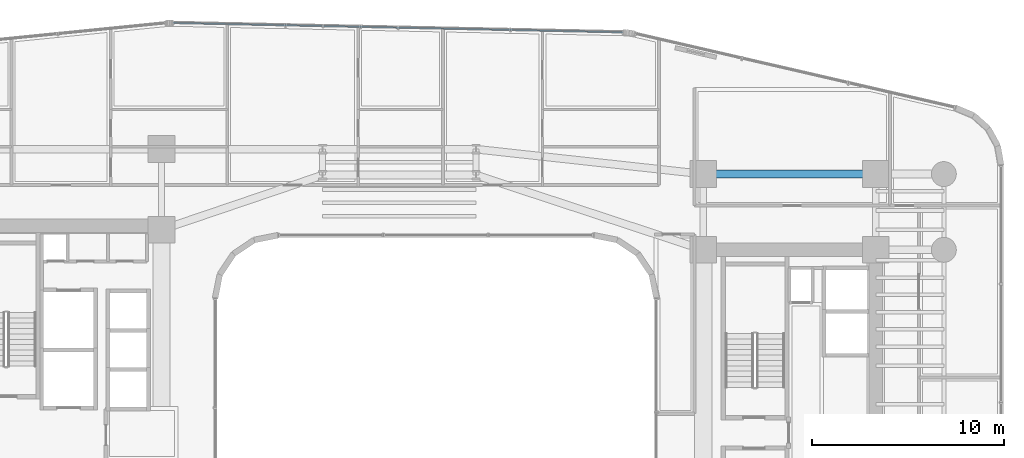
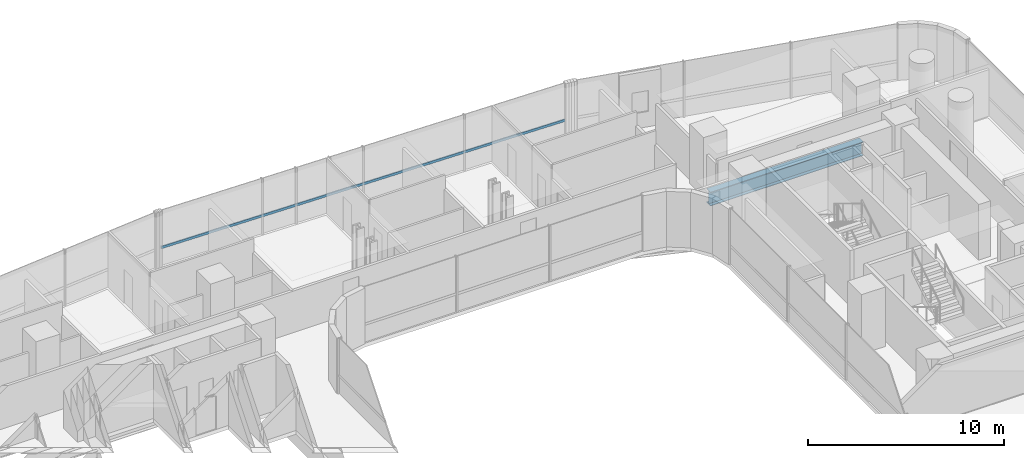
# One storey, part 24 of 42: 1 beam, 1 member, 1 element without a shape of its own.
"""IFC4 building model written with IfcOpenShell, lengths in metres."""

from ifc_helpers import new_model, si_unit, direction, frame, origin, origin_2d, place, context, subcontext, project, spatial, hollow_rectangle, i_section, extrude, source, transform, mapped, material, material_profile, profile_set, type_object, element, aggregate, save


model = new_model("IFC4")

# Units and contexts
model_context = context("Model", 3, precision=1e-05, world=origin(), true_north=direction((0.0, 1.0)))
body_context = subcontext(model_context, "Body", "Model", "MODEL_VIEW")
ifc_project = project(units=[si_unit("LENGTHUNIT", "METRE"), si_unit("AREAUNIT", "SQUARE_METRE"), si_unit("VOLUMEUNIT", "CUBIC_METRE"), si_unit("PLANEANGLEUNIT", "RADIAN"), si_unit("MASSUNIT", "GRAM", prefix="KILO")], contexts=[model_context])

# Site, building, storey
site_placement = place(None, origin())
site = spatial("IfcSite", under=ifc_project, at=site_placement, CompositionType="ELEMENT")
building_placement = place(site_placement, origin())
building = spatial("IfcBuilding", under=site, at=building_placement, Name="Valdorenza Pilgrim Sanctuary Tower", CompositionType="ELEMENT")
storey_placement = place(building_placement, frame((0.0, 0.0, 55.60009765625)))
storey = spatial("IfcBuildingStorey", under=building, at=storey_placement, Name="L13", CompositionType="ELEMENT", Elevation=55.60009765625)

# Beam
ifc_material_1 = material(Name="Steel ASTM A992 Grade 50", Category="steel")
ifc_material_profile_1 = material_profile(ifc_material_1, i_section(OverallWidth=0.39990234375, OverallDepth=0.862060546875, WebThickness=0.019775390625, FlangeThickness=0.032470703125, at=origin_2d()), Name="W33X221")
ifc_profile_set_1 = profile_set([ifc_material_profile_1], Name="Steel ASTM A992 Grade 50")
beam_type = type_object("IfcBeamType", Name="STR-BM-GRD-W33", PredefinedType="BEAM", material=ifc_profile_set_1)
shared_shape_1 = source(origin(), body_context, "Body", "SweptSolid", [
    extrude(i_section(OverallWidth=0.39990234375, OverallDepth=0.862060546875, WebThickness=0.019775390625, FlangeThickness=0.032470703125, at=origin_2d()), origin(), (0.0, 0.0, 1.0), 9.0),
])
beam_placement = place(storey_placement, frame((15.85009765625, 13.5, -0.671142578125), z_axis=(1.0, 0.0, 0.0), x_axis=(0.0, 1.0, 0.0)))
element("IfcBeam", 1, at=beam_placement, inside=storey, type_object=beam_type, Name="L13 Floor Girder CB-XC-N2", PredefinedType="BEAM", context=body_context, shape_type="MappedRepresentation", body=[
    mapped(shared_shape_1, transform((0.0, 0.0, 0.0), x_axis=(1.0, 0.0, 0.0), y_axis=(0.0, 1.0, 0.0), z_axis=(0.0, 0.0, 1.0), scale=1.0)),
])

# Curtain wall, member
ifc_material_2 = material(Name="Curtain-wall IGU glazing", Category="glass")
curtain_wall_type = type_object("IfcCurtainWallType", Name="CW-SYS-02", PredefinedType="NOTDEFINED", material=ifc_material_2)
curtain_wall_placement = place(storey_placement, origin())
curtain_wall = element("IfcCurtainWall", 2, at=curtain_wall_placement, inside=storey, type_object=curtain_wall_type, Name="L13 Curtain Wall CW-L13-1-11", PredefinedType="NOTDEFINED")
ifc_material_3 = material(Name="Anodised aluminium AW-6060", Category="aluminium")
ifc_material_profile_2 = material_profile(ifc_material_3, hollow_rectangle(XDim=0.074951171875, YDim=0.14990234375, WallThickness=0.00390625, at=origin_2d()), Name="ALU-T 150x75x4")
ifc_profile_set_2 = profile_set([ifc_material_profile_2], Name="Anodised aluminium AW-6060")
member_type = type_object("IfcMemberType", Name="CW-TRN-02", PredefinedType="USERDEFINED", material=ifc_profile_set_2)
shared_shape_2 = source(origin(), body_context, "Body", "SweptSolid", [
    extrude(hollow_rectangle(XDim=0.074951171875, YDim=0.14990234375, WallThickness=0.00390625, at=origin_2d()), origin(), (0.0, 0.0, 1.0), 23.479248046875),
])
member_placement = place(storey_placement, frame((-11.808349609375, 21.385986328125, 1.119873046875), z_axis=(0.999783083794, -0.020827514476, 0.0), x_axis=(0.020827514476, 0.999783083794, 0.0)))
member = element("IfcMember", 3, at=member_placement, type_object=member_type, Name="CW-L13-1-11 Transom 1", ObjectType="TRANSOM", PredefinedType="USERDEFINED", context=body_context, shape_type="MappedRepresentation", body=[
    mapped(shared_shape_2, transform((0.0, 0.0, 0.0), x_axis=(1.0, 0.0, 0.0), y_axis=(0.0, 1.0, 0.0), z_axis=(0.0, 0.0, 1.0), scale=1.0)),
])
aggregate(curtain_wall, [member])

save(model, "model.ifc")
